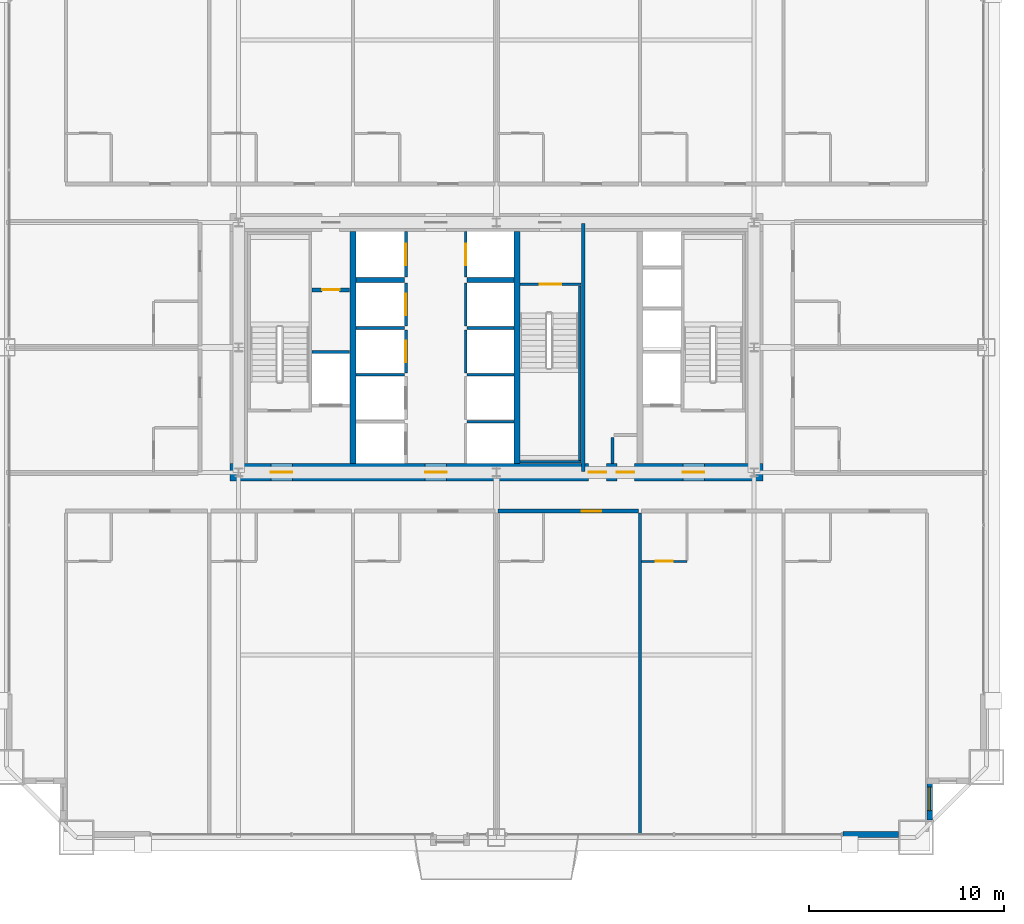
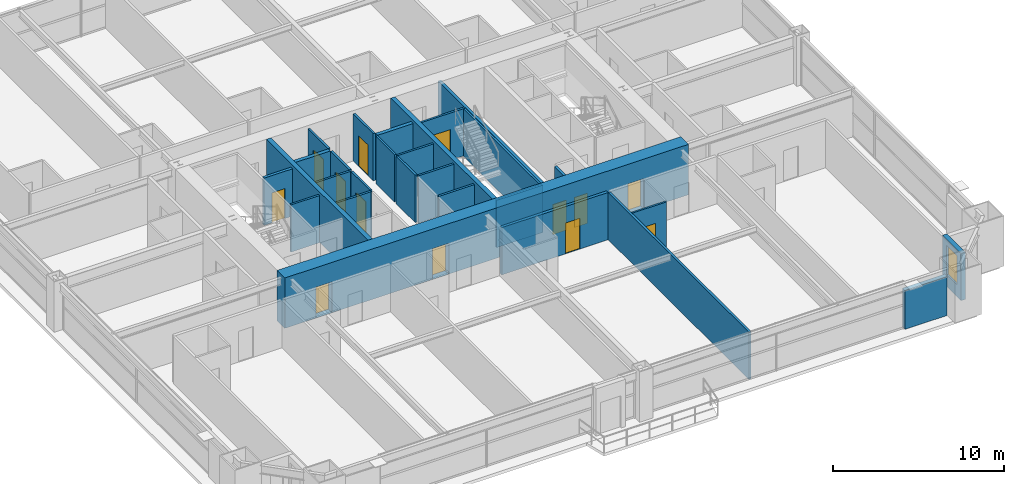
# One storey, part 41 of 45: 28 walls, 13 doors, 1 window, 14 openings.
"""IFC4 building model written with IfcOpenShell, lengths in metres."""

import ifcopenshell
import ifcopenshell.guid

model = None  # the IFC model being written
_history = None  # IfcOwnerHistory: only IFC2X3 demands one
_inside = {}  # id of a spatial element -> (the spatial element, [elements in it])
_under = {}  # id of a project, library or spatial element -> (it, [spatial elements below it])
_declared = {}  # id of a project -> (the project, [libraries it declares])
_typed = {}  # id of a type object -> (the type object, [elements of that type])
_made_of = {}  # id of a material, layer set ... -> (it, [elements and type objects made of it])


def new_model(schema):
    """Start an empty IFC model of exactly this schema.

    Asked for "IFC4X3", IfcOpenShell would pick the latest addendum, in which some entities
    have other attributes; the version numbers below select the first issue.
    IFC2X3 requires an IfcOwnerHistory on every rooted entity: one is made here for all.
    """
    global model, _history
    if schema == "IFC4X3":
        model = ifcopenshell.file(schema_version=(4, 3, 0, 0))
    else:
        model = ifcopenshell.file(schema=schema)
    _inside.clear()
    _under.clear()
    _declared.clear()
    _typed.clear()
    _made_of.clear()
    _history = None
    if model.schema == "IFC2X3":
        org = make("IfcOrganization", Name="unknown")
        user = make(
            "IfcPersonAndOrganization",
            ThePerson=make("IfcPerson", FamilyName="unknown"),
            TheOrganization=org,
        )
        app = make(
            "IfcApplication",
            ApplicationDeveloper=org,
            Version="unknown",
            ApplicationFullName="unknown",
            ApplicationIdentifier="unknown",
        )
        _history = make(
            "IfcOwnerHistory",
            OwningUser=user,
            OwningApplication=app,
            ChangeAction="ADDED",
            CreationDate=0,
        )
    return model


def make(cls, **values):
    """One entity of the class cls with the attributes given. An attribute that is None is left unset."""
    return model.create_entity(
        cls, **{name: value for name, value in values.items() if value is not None}
    )


def rooted(cls, **values):
    """An entity with a GlobalId (a new one), such as an element, a storey or a relation."""
    return make(cls, GlobalId=ifcopenshell.guid.new(), OwnerHistory=_history, **values)


def si_unit(unit_type, name, prefix=None):
    """IfcSIUnit, for example si_unit("LENGTHUNIT", "METRE", prefix="MILLI")."""
    return make("IfcSIUnit", UnitType=unit_type, Prefix=prefix, Name=name)


def assignment(units):
    """IfcUnitAssignment: the units of a project."""
    return None if units is None else make("IfcUnitAssignment", Units=units)


def point(xyz):
    """IfcCartesianPoint."""
    return None if xyz is None else make("IfcCartesianPoint", Coordinates=xyz)


def direction(xyz):
    """IfcDirection."""
    return None if xyz is None else make("IfcDirection", DirectionRatios=xyz)


def frame(location, z_axis=None, x_axis=None):
    """IfcAxis2Placement3D, a coordinate frame: its origin and axes. An axis left out is left unset."""
    return make(
        "IfcAxis2Placement3D",
        Location=point(location),
        Axis=direction(z_axis),
        RefDirection=direction(x_axis),
    )


def frame_2d(location, x_axis=None):
    """IfcAxis2Placement2D, a coordinate frame in the plane: its origin and x axis."""
    return make(
        "IfcAxis2Placement2D", Location=point(location), RefDirection=direction(x_axis)
    )


def origin():
    """The frame at (0, 0, 0) with its axes left unset."""
    return frame((0.0, 0.0, 0.0))


def place(relative_to, where):
    """IfcLocalPlacement: puts the frame where relative to a parent placement (None: the world)."""
    return make(
        "IfcLocalPlacement", PlacementRelTo=relative_to, RelativePlacement=where
    )


def context(
    kind, dimensions, precision=None, world=None, true_north=None, identifier=None
):
    """IfcGeometricRepresentationContext, for example the 3D "Model" context."""
    return make(
        "IfcGeometricRepresentationContext",
        ContextIdentifier=identifier,
        ContextType=kind,
        CoordinateSpaceDimension=dimensions,
        Precision=precision,
        WorldCoordinateSystem=world,
        TrueNorth=true_north,
    )


def subcontext(parent, identifier, kind, view, scale=None):
    """IfcGeometricRepresentationSubContext, for example "Body" below "Model"."""
    return make(
        "IfcGeometricRepresentationSubContext",
        ContextIdentifier=identifier,
        ContextType=kind,
        ParentContext=parent,
        TargetScale=scale,
        TargetView=view,
    )


def project(units=None, contexts=None):
    """IfcProject with its units and contexts."""
    return rooted(
        "IfcProject",
        Name="project",
        RepresentationContexts=contexts,
        UnitsInContext=assignment(units),
    )


def spatial(cls, under=None, at=None, **own):
    """A site, building, storey or space (cls), placed at a placement, below another one or the project."""
    s = rooted(cls, ObjectPlacement=at, **own)
    if under is not None:
        _under.setdefault(under.id(), (under, []))[1].append(s)
    return s


def profile(cls, at=None, kind="AREA", **sizes):
    """A parametric profile (cls). Its sizes go by their IFC names, for example OverallWidth=200.0."""
    return make(cls, ProfileType=kind, Position=at, **sizes)


def rectangle(**sizes):
    """IfcRectangleProfileDef."""
    return profile("IfcRectangleProfileDef", **sizes)


def extrude(swept, where, along, depth):
    """IfcExtrudedAreaSolid: the profile swept, set in the frame where, extruded along a direction by depth."""
    return make(
        "IfcExtrudedAreaSolid",
        SweptArea=swept,
        Position=where,
        ExtrudedDirection=direction(along),
        Depth=depth,
    )


def shape(context_of_items, identifier, shape_type, items):
    """IfcShapeRepresentation: the items that make up one representation, for example the "Body"."""
    return make(
        "IfcShapeRepresentation",
        ContextOfItems=context_of_items,
        RepresentationIdentifier=identifier,
        RepresentationType=shape_type,
        Items=items,
    )


def source(mapping_origin, context_of_items, identifier, shape_type, items):
    """IfcRepresentationMap: a shape defined once, which mapped items show again and again."""
    return make(
        "IfcRepresentationMap",
        MappingOrigin=mapping_origin,
        MappedRepresentation=shape(context_of_items, identifier, shape_type, items),
    )


def transform(
    local_origin,
    x_axis=None,
    y_axis=None,
    z_axis=None,
    scale=None,
    scale2=None,
    scale3=None,
    uniform=True,
):
    """IfcCartesianTransformationOperator3D, or its non-uniform kind. x_axis, y_axis, z_axis: its Axis1, 2, 3."""
    if uniform:
        return make(
            "IfcCartesianTransformationOperator3D",
            Axis1=direction(x_axis),
            Axis2=direction(y_axis),
            LocalOrigin=point(local_origin),
            Scale=scale,
            Axis3=direction(z_axis),
        )
    return make(
        "IfcCartesianTransformationOperator3DnonUniform",
        Axis1=direction(x_axis),
        Axis2=direction(y_axis),
        LocalOrigin=point(local_origin),
        Scale=scale,
        Axis3=direction(z_axis),
        Scale2=scale2,
        Scale3=scale3,
    )


def mapped(mapping_source, mapping_target):
    """IfcMappedItem: shows the shape of a source again, moved by a transform."""
    return make(
        "IfcMappedItem", MappingSource=mapping_source, MappingTarget=mapping_target
    )


def material(Name=None, Category=None):
    """IfcMaterial."""
    return make("IfcMaterial", Name=Name, Category=Category)


def layer(
    of_material, thickness, ventilated=None, Name=None, Category=None, Priority=None
):
    """IfcMaterialLayer: one layer of a wall or slab, of a material (None: an air gap)."""
    return make(
        "IfcMaterialLayer",
        Material=of_material,
        LayerThickness=thickness,
        IsVentilated=ventilated,
        Name=Name,
        Category=Category,
        Priority=Priority,
    )


def layer_set(layers, Name=None):
    """IfcMaterialLayerSet."""
    return make("IfcMaterialLayerSet", MaterialLayers=layers, LayerSetName=Name)


def made_of(thing, what):
    """Note that an element or type object is made of a material, layer set ...; save() writes the relation."""
    if what is not None:
        _made_of.setdefault(what.id(), (what, []))[1].append(thing)
    return thing


def type_object(cls, material=None, **own):
    """A type object (cls), such as IfcWallType, which elements share."""
    return made_of(rooted(cls, **own), material)


def element(
    cls,
    number,
    at=None,
    inside=None,
    cuts=None,
    type_object=None,
    material=None,
    context=None,
    identifier="Body",
    shape_type=None,
    held_by="IfcProductDefinitionShape",
    body=None,
    shapes=None,
    **own,
):
    """One element of the class cls, such as IfcWall. Its Tag is "e" and its number.

    at: its placement. inside: the storey or other place that contains it. cuts: it is an
    opening in that element (IfcRelVoidsElement). A single representation is given by context,
    identifier, shape_type and body (its items); several are given by shapes. held_by: the class
    of the entity that holds the representations. save() writes the other relations.
    """
    e = rooted(cls, Tag="e%d" % number, ObjectPlacement=at, **own)
    if body is not None:
        shapes = [shape(context, identifier, shape_type, body)]
    if shapes is not None:
        e.Representation = make(held_by, Representations=shapes)
    if inside is not None:
        _inside.setdefault(inside.id(), (inside, []))[1].append(e)
    if cuts is not None:
        rooted(
            "IfcRelVoidsElement", RelatingBuildingElement=cuts, RelatedOpeningElement=e
        )
    if type_object is not None:
        _typed.setdefault(type_object.id(), (type_object, []))[1].append(e)
    return made_of(e, material)


def fill(opening, filler):
    """IfcRelFillsElement: the door or window that sits in an opening."""
    return rooted(
        "IfcRelFillsElement",
        RelatingOpeningElement=opening,
        RelatedBuildingElement=filler,
    )


def aggregate(whole, parts):
    """IfcRelAggregates: a whole, such as a stair, and the parts it consists of."""
    return rooted("IfcRelAggregates", RelatingObject=whole, RelatedObjects=parts)


def save(model, path):
    """Write the relations noted so far, then the file.

    IfcRelAggregates (storeys below a building ...), IfcRelContainedInSpatialStructure (elements
    in a storey), IfcRelDefinesByType, IfcRelAssociatesMaterial and IfcRelDeclares: one each for
    every whole, place, type object, material and project.
    """
    for whole, parts in _under.values():
        aggregate(whole, parts)
    for where, things in _inside.values():
        rooted(
            "IfcRelContainedInSpatialStructure",
            RelatedElements=things,
            RelatingStructure=where,
        )
    for kind, things in _typed.values():
        rooted("IfcRelDefinesByType", RelatedObjects=things, RelatingType=kind)
    for what, things in _made_of.values():
        rooted("IfcRelAssociatesMaterial", RelatedObjects=things, RelatingMaterial=what)
    for by, libraries in _declared.values():
        rooted("IfcRelDeclares", RelatingContext=by, RelatedDefinitions=libraries)
    model.write(path)


model = new_model("IFC4")

# Units and contexts
model_context = context("Model", 3, precision=1e-05, world=origin(), true_north=direction((0.0, 1.0)))
body_context = subcontext(model_context, "Body", "Model", "MODEL_VIEW")
ifc_project = project(units=[si_unit("LENGTHUNIT", "METRE"), si_unit("AREAUNIT", "SQUARE_METRE"), si_unit("VOLUMEUNIT", "CUBIC_METRE"), si_unit("PLANEANGLEUNIT", "RADIAN"), si_unit("MASSUNIT", "GRAM", prefix="KILO"), si_unit("THERMODYNAMICTEMPERATUREUNIT", "KELVIN"), si_unit("POWERUNIT", "WATT")], contexts=[model_context])

# Site, building, storey
site_placement = place(None, origin())
site = spatial("IfcSite", under=ifc_project, at=site_placement, CompositionType="ELEMENT")
building_placement = place(site_placement, origin())
building = spatial("IfcBuilding", under=site, at=building_placement, Name="Yuzanri Waterfront Tower", CompositionType="ELEMENT")
storey_placement = place(building_placement, frame((0.0, 0.0, 34.199951171875)))
storey = spatial("IfcBuildingStorey", under=building, at=storey_placement, Name="L08", CompositionType="ELEMENT", Elevation=34.199951171875)

# Wall, opening, door
ifc_material_1 = material(Name="Moisture-Resistant Gypsum Stud Wall", Category="gypsum")
ifc_layer_1 = layer(ifc_material_1, 0.1201171875)
ifc_layer_set_1 = layer_set([ifc_layer_1], Name="Moisture-Resistant Gypsum Stud Wall")
wall_type_1 = type_object("IfcWallType", Name="Bathroom and Kitchen Wet Partition 120", PredefinedType="PARTITIONING", material=ifc_layer_set_1)
wall_1_placement = place(storey_placement, frame((44.43310546875, 14.840087890625, 0.0), z_axis=(0.0, 0.0, 1.0), x_axis=(1.0, 0.0, 0.0)))
wall_1 = element("IfcWall", 1, at=wall_1_placement, inside=storey, type_object=wall_type_1, Name="L08 Partition UW-L08-S5-BS", PredefinedType="PARTITIONING", context=body_context, shape_type="SweptSolid", body=[
    extrude(rectangle(XDim=2.329833984375, YDim=0.1201171875, at=frame_2d((1.1650390625, 0.0))), origin(), (0.0, 0.0, 1.0), 3.380126953125),
])
opening_1_placement = place(wall_1_placement, frame((0.739990234375, 0.0, 0.0)))
opening_1 = element("IfcOpeningElement", 2, at=opening_1_placement, cuts=wall_1, Name="Opening ID-0850", PredefinedType="OPENING", context=body_context, shape_type="SweptSolid", body=[
    extrude(rectangle(XDim=0.85009765625, YDim=2.10009765625, at=frame_2d((0.425048828125, 1.050048828125))), frame((0.0, 0.074951171875, 0.0), z_axis=(0.0, -1.0, 0.0), x_axis=(1.0, 0.0, 0.0)), (0.0, 0.0, 1.0), 0.14990234375),
])
ifc_material_2 = material(Name="Moisture-Resistant Lacquered Timber", Category="wood")
door_type_1 = type_object("IfcDoorType", Name="En-Suite Bathroom and Kitchen Swing Door 850x2100", OperationType="NOTDEFINED", PredefinedType="DOOR", material=ifc_material_2)
shared_shape_1 = source(origin(), body_context, "Body", "SweptSolid", [
    extrude(rectangle(XDim=0.85009765625, YDim=2.10009765625, at=frame_2d((0.425048828125, 1.050048828125))), frame((0.0, 0.02490234375, 0.0), z_axis=(0.0, -1.0, 0.0), x_axis=(1.0, 0.0, 0.0)), (0.0, 0.0, 1.0), 0.050048828125),
])
door_1_placement = place(opening_1_placement, origin())
door_1 = element("IfcDoor", 3, at=door_1_placement, inside=storey, type_object=door_type_1, Name="L08 Guest En-Suite Door", OperationType="SINGLE_SWING_LEFT", OverallHeight=2.10009765625, OverallWidth=0.85009765625, PredefinedType="DOOR", context=body_context, shape_type="MappedRepresentation", body=[
    mapped(shared_shape_1, transform((0.0, 0.0, 0.0), scale=1.0)),
])
fill(opening_1, door_1)

# Wall, opening, window
ifc_material_3 = material(Name="Honed Chongqing Dark Basalt Stone", Category="masonry")
ifc_layer_2 = layer(ifc_material_3, 0.300048828125)
ifc_layer_set_2 = layer_set([ifc_layer_2], Name="Honed Chongqing Dark Basalt Stone")
wall_type_2 = type_object("IfcWallType", Name="Bronze Rainscreen Insulated Spandrel Portal Wall 300", PredefinedType="SOLIDWALL", material=ifc_layer_set_2)
wall_2_placement = place(storey_placement, frame((59.199951171875, 1.60009765625, 0.0), z_axis=(0.0, 0.0, 1.0), x_axis=(0.0, 1.0, 0.0)))
wall_2 = element("IfcWall", 4, at=wall_2_placement, inside=storey, type_object=wall_type_2, Name="L08 Notched Corner Masonry Wall SE-Y", PredefinedType="SOLIDWALL", context=body_context, shape_type="SweptSolid", body=[
    extrude(rectangle(XDim=2.14990234375, YDim=0.300048828125, at=frame_2d((1.074951171875, 0.0))), origin(), (0.0, 0.0, 1.0), 3.380126953125),
])
opening_2_placement = place(wall_2_placement, frame((0.47509765625, 0.0, 0.85009765625)))
opening_2 = element("IfcOpeningElement", 5, at=opening_2_placement, cuts=wall_2, Name="Opening WN-02", PredefinedType="OPENING", context=body_context, shape_type="SweptSolid", body=[
    extrude(rectangle(XDim=1.199951171875, YDim=2.10009765625, at=frame_2d((0.60009765625, 1.050048828125))), frame((0.0, 0.1650390625, 0.0), z_axis=(0.0, -1.0, 0.0), x_axis=(1.0, 0.0, 0.0)), (0.0, 0.0, 1.0), 0.329833984375),
])
ifc_material_4 = material(Name="Double-Silver Low-E Insulated Glass", Category="glass")
window_type = type_object("IfcWindowType", Name="Anodized Bronze Notched Corner Deep-Set Slot Window 1200x2100", PartitioningType="SINGLE_PANEL", PredefinedType="WINDOW", material=ifc_material_4)
shared_shape_2 = source(origin(), body_context, "Body", "SweptSolid", [
    extrude(rectangle(XDim=1.199951171875, YDim=2.10009765625, at=frame_2d((0.60009765625, 1.050048828125))), frame((0.0, 0.030029296875, 0.0), z_axis=(0.0, -1.0, 0.0), x_axis=(1.0, 0.0, 0.0)), (0.0, 0.0, 1.0), 0.06005859375),
])
window_placement = place(opening_2_placement, origin())
window = element("IfcWindow", 6, at=window_placement, inside=storey, type_object=window_type, Name="L08 Notched Corner Window SE-Y", OverallHeight=2.10009765625, OverallWidth=1.199951171875, PartitioningType="SINGLE_PANEL", PredefinedType="WINDOW", context=body_context, shape_type="MappedRepresentation", body=[
    mapped(shared_shape_2, transform((0.0, 0.0, 0.0), scale=1.0)),
])
fill(opening_2, window)

# Wall, openings, doors
ifc_material_5 = material(Name="Concrete C60", Category="concrete")
ifc_layer_3 = layer(ifc_material_5, 0.89990234375)
ifc_layer_set_3 = layer_set([ifc_layer_3], Name="Concrete C60")
wall_type_3 = type_object("IfcWallType", Name="Concrete C60 Lower Zone Core Shear Wall 900", PredefinedType="SHEAR", material=ifc_layer_set_3)
wall_3_placement = place(storey_placement, frame((23.35009765625, 19.39990234375, 0.0), z_axis=(0.0, 0.0, 1.0), x_axis=(1.0, 0.0, 0.0)))
wall_3 = element("IfcWall", 7, at=wall_3_placement, inside=storey, type_object=wall_type_3, Name="L08 Core South Shear Wall", PredefinedType="SHEAR", context=body_context, shape_type="SweptSolid", body=[
    extrude(rectangle(XDim=27.2998046875, YDim=0.89990234375, at=frame_2d((13.64990234375, 0.0))), origin(), (0.0, 0.0, 1.0), 3.60009765625),
])
opening_3_placement = place(wall_3_placement, frame((2.10009765625, 0.0, 0.0)))
opening_3 = element("IfcOpeningElement", 8, at=opening_3_placement, cuts=wall_3, Name="Opening FD-1100", PredefinedType="OPENING", context=body_context, shape_type="SweptSolid", body=[
    extrude(rectangle(XDim=1.10009765625, YDim=2.199951171875, at=frame_2d((0.550048828125, 1.10009765625))), frame((0.0, 0.46484375, 0.0), z_axis=(0.0, -1.0, 0.0), x_axis=(1.0, 0.0, 0.0)), (0.0, 0.0, 1.0), 0.9296875),
])
opening_4_placement = place(wall_3_placement, frame((10.0, 0.0, 0.0)))
opening_4 = element("IfcOpeningElement", 9, at=opening_4_placement, cuts=wall_3, Name="Opening FD-1100", PredefinedType="OPENING", context=body_context, shape_type="SweptSolid", body=[
    extrude(rectangle(XDim=1.10009765625, YDim=2.199951171875, at=frame_2d((0.550048828125, 1.10009765625))), frame((0.0, 0.46484375, 0.0), z_axis=(0.0, -1.0, 0.0), x_axis=(1.0, 0.0, 0.0)), (0.0, 0.0, 1.0), 0.9296875),
])
opening_5_placement = place(wall_3_placement, frame((23.199951171875, 0.0, 0.0)))
opening_5 = element("IfcOpeningElement", 10, at=opening_5_placement, cuts=wall_3, Name="Opening FD-1100", PredefinedType="OPENING", context=body_context, shape_type="SweptSolid", body=[
    extrude(rectangle(XDim=1.10009765625, YDim=2.199951171875, at=frame_2d((0.550048828125, 1.10009765625))), frame((0.0, 0.46484375, 0.0), z_axis=(0.0, -1.0, 0.0), x_axis=(1.0, 0.0, 0.0)), (0.0, 0.0, 1.0), 0.9296875),
])
opening_6_placement = place(wall_3_placement, frame((19.820068359375, 0.0, 0.0)))
opening_6 = element("IfcOpeningElement", 11, at=opening_6_placement, cuts=wall_3, Name="Opening FD-0900", PredefinedType="OPENING", context=body_context, shape_type="SweptSolid", body=[
    extrude(rectangle(XDim=0.89990234375, YDim=2.14990234375, at=frame_2d((0.449951171875, 1.074951171875))), frame((0.0, 0.46484375, 0.0), z_axis=(0.0, -1.0, 0.0), x_axis=(1.0, 0.0, 0.0)), (0.0, 0.0, 1.0), 0.9296875),
])
opening_7_placement = place(wall_3_placement, frame((18.3798828125, 0.0, 0.0)))
opening_7 = element("IfcOpeningElement", 12, at=opening_7_placement, cuts=wall_3, Name="Opening FD-0900", PredefinedType="OPENING", context=body_context, shape_type="SweptSolid", body=[
    extrude(rectangle(XDim=0.89990234375, YDim=2.14990234375, at=frame_2d((0.449951171875, 1.074951171875))), frame((0.0, 0.46484375, 0.0), z_axis=(0.0, -1.0, 0.0), x_axis=(1.0, 0.0, 0.0)), (0.0, 0.0, 1.0), 0.9296875),
])
ifc_material_6 = material(Name="Painted Galvanized Fire Steel", Category="steel")
door_type_2 = type_object("IfcDoorType", Name="Smoke-Proof Stair and Lobby Fire Door 1100x2200", OperationType="NOTDEFINED", PredefinedType="DOOR", material=ifc_material_6)
shared_shape_3 = source(origin(), body_context, "Body", "SweptSolid", [
    extrude(rectangle(XDim=1.10009765625, YDim=2.199951171875, at=frame_2d((0.550048828125, 1.10009765625))), frame((0.0, 0.02490234375, 0.0), z_axis=(0.0, -1.0, 0.0), x_axis=(1.0, 0.0, 0.0)), (0.0, 0.0, 1.0), 0.050048828125),
])
door_2_placement = place(opening_3_placement, origin())
door_2 = element("IfcDoor", 13, at=door_2_placement, inside=storey, type_object=door_type_2, Name="L08 West Firefighting Lobby Door", OperationType="SINGLE_SWING_LEFT", OverallHeight=2.199951171875, OverallWidth=1.10009765625, PredefinedType="DOOR", context=body_context, shape_type="MappedRepresentation", body=[
    mapped(shared_shape_3, transform((0.0, 0.0, 0.0), scale=1.0)),
])
fill(opening_3, door_2)
door_3_placement = place(opening_4_placement, origin())
door_3 = element("IfcDoor", 14, at=door_3_placement, inside=storey, type_object=door_type_2, Name="L08 Central Lift Lobby South Door", OperationType="SINGLE_SWING_RIGHT", OverallHeight=2.199951171875, OverallWidth=1.10009765625, PredefinedType="DOOR", context=body_context, shape_type="MappedRepresentation", body=[
    mapped(shared_shape_3, transform((0.0, 0.0, 0.0), scale=1.0)),
])
fill(opening_4, door_3)
door_4_placement = place(opening_5_placement, origin())
door_4 = element("IfcDoor", 15, at=door_4_placement, inside=storey, type_object=door_type_2, Name="L08 East Firefighting Lobby Door", OperationType="SINGLE_SWING_LEFT", OverallHeight=2.199951171875, OverallWidth=1.10009765625, PredefinedType="DOOR", context=body_context, shape_type="MappedRepresentation", body=[
    mapped(shared_shape_3, transform((0.0, 0.0, 0.0), scale=1.0)),
])
fill(opening_5, door_4)
ifc_material_7 = material(Name="Painted Galvanized Fire Steel", Category="steel")
door_type_3 = type_object("IfcDoorType", Name="Riser and Service Room Fire Door 900x2150", OperationType="NOTDEFINED", PredefinedType="DOOR", material=ifc_material_7)
shared_shape_4 = source(origin(), body_context, "Body", "SweptSolid", [
    extrude(rectangle(XDim=0.89990234375, YDim=2.14990234375, at=frame_2d((0.449951171875, 1.074951171875))), frame((0.0, 0.02490234375, 0.0), z_axis=(0.0, -1.0, 0.0), x_axis=(1.0, 0.0, 0.0)), (0.0, 0.0, 1.0), 0.050048828125),
])
door_5_placement = place(opening_6_placement, origin())
door_5 = element("IfcDoor", 16, at=door_5_placement, inside=storey, type_object=door_type_3, Name="L08 East Wet Riser Door", OperationType="SINGLE_SWING_RIGHT", OverallHeight=2.14990234375, OverallWidth=0.89990234375, PredefinedType="DOOR", context=body_context, shape_type="MappedRepresentation", body=[
    mapped(shared_shape_4, transform((0.0, 0.0, 0.0), scale=1.0)),
])
fill(opening_6, door_5)
door_6_placement = place(opening_7_placement, origin())
door_6 = element("IfcDoor", 17, at=door_6_placement, inside=storey, type_object=door_type_3, Name="L08 Housekeeping Room", OperationType="SINGLE_SWING_LEFT", OverallHeight=2.14990234375, OverallWidth=0.89990234375, PredefinedType="DOOR", context=body_context, shape_type="MappedRepresentation", body=[
    mapped(shared_shape_4, transform((0.0, 0.0, 0.0), scale=1.0)),
])
fill(opening_7, door_6)

# Wall, opening, door
ifc_material_8 = material(Name="Concrete C40", Category="concrete")
ifc_layer_4 = layer(ifc_material_8, 0.139892578125)
ifc_layer_set_4 = layer_set([ifc_layer_4], Name="Concrete C40")
wall_type_4 = type_object("IfcWallType", Name="Core Stair Liner and Hoistway Shaft Wall 140", PredefinedType="SOLIDWALL", material=ifc_layer_set_4)
wall_4_placement = place(storey_placement, frame((32.3701171875, 24.5, 0.0), z_axis=(0.0, 0.0, 1.0), x_axis=(0.0, 1.0, 0.0)))
wall_4 = element("IfcWall", 18, at=wall_4_placement, inside=storey, type_object=wall_type_4, Name="L08 Lift PL-03 Front Shaft Wall", PredefinedType="SOLIDWALL", context=body_context, shape_type="SweptSolid", body=[
    extrude(rectangle(XDim=2.199951171875, YDim=0.139892578125, at=frame_2d((1.10009765625, 0.0))), origin(), (0.0, 0.0, 1.0), 3.380126953125),
])
opening_8_placement = place(wall_4_placement, frame((0.550048828125, 0.0, 0.0)))
opening_8 = element("IfcOpeningElement", 19, at=opening_8_placement, cuts=wall_4, Name="Opening LD-PL-03", PredefinedType="OPENING", context=body_context, shape_type="SweptSolid", body=[
    extrude(rectangle(XDim=1.10009765625, YDim=2.199951171875, at=frame_2d((0.550048828125, 1.10009765625))), frame((0.0, 0.0849609375, 0.0), z_axis=(0.0, -1.0, 0.0), x_axis=(1.0, 0.0, 0.0)), (0.0, 0.0, 1.0), 0.169677734375),
])
ifc_material_9 = material(Name="Brushed Bronze and Stainless Steel Cab", Category="steel")
door_type_4 = type_object("IfcDoorType", Name="Center-Parting Bronze Lift Landing Sliding Door 1100x2200", OperationType="NOTDEFINED", PredefinedType="DOOR", material=ifc_material_9)
shared_shape_5 = source(origin(), body_context, "Body", "SweptSolid", [
    extrude(rectangle(XDim=1.10009765625, YDim=2.199951171875, at=frame_2d((0.550048828125, 1.10009765625))), frame((0.0, 0.02490234375, 0.0), z_axis=(0.0, -1.0, 0.0), x_axis=(1.0, 0.0, 0.0)), (0.0, 0.0, 1.0), 0.050048828125),
])
door_7_placement = place(opening_8_placement, origin())
door_7 = element("IfcDoor", 20, at=door_7_placement, inside=storey, type_object=door_type_4, Name="L08 PL-03 Lift Landing Sliding Door", OperationType="SLIDING_TO_LEFT", OverallHeight=2.199951171875, OverallWidth=1.10009765625, PredefinedType="DOOR", context=body_context, shape_type="MappedRepresentation", body=[
    mapped(shared_shape_5, transform((0.0, 0.0, 0.0), scale=1.0)),
])
fill(opening_8, door_7)

wall_5_placement = place(storey_placement, frame((32.3701171875, 26.89990234375, 0.0), z_axis=(0.0, 0.0, 1.0), x_axis=(0.0, 1.0, 0.0)))
wall_5 = element("IfcWall", 21, at=wall_5_placement, inside=storey, type_object=wall_type_4, Name="L08 Lift PL-04 Front Shaft Wall", PredefinedType="SOLIDWALL", context=body_context, shape_type="SweptSolid", body=[
    extrude(rectangle(XDim=2.2001953125, YDim=0.139892578125, at=frame_2d((1.10009765625, 0.0))), origin(), (0.0, 0.0, 1.0), 3.380126953125),
])
opening_9_placement = place(wall_5_placement, frame((0.550048828125, 0.0, 0.0)))
opening_9 = element("IfcOpeningElement", 22, at=opening_9_placement, cuts=wall_5, Name="Opening LD-PL-04", PredefinedType="OPENING", context=body_context, shape_type="SweptSolid", body=[
    extrude(rectangle(XDim=1.10009765625, YDim=2.199951171875, at=frame_2d((0.550048828125, 1.10009765625))), frame((0.0, 0.0849609375, 0.0), z_axis=(0.0, -1.0, 0.0), x_axis=(1.0, 0.0, 0.0)), (0.0, 0.0, 1.0), 0.169677734375),
])
door_8_placement = place(opening_9_placement, origin())
door_8 = element("IfcDoor", 23, at=door_8_placement, inside=storey, type_object=door_type_4, Name="L08 PL-04 Lift Landing Sliding Door", OperationType="SLIDING_TO_RIGHT", OverallHeight=2.199951171875, OverallWidth=1.10009765625, PredefinedType="DOOR", context=body_context, shape_type="MappedRepresentation", body=[
    mapped(shared_shape_5, transform((0.0, 0.0, 0.0), scale=1.0)),
])
fill(opening_9, door_8)

wall_6_placement = place(storey_placement, frame((32.3701171875, 29.39990234375, 0.0), z_axis=(0.0, 0.0, 1.0), x_axis=(0.0, 1.0, 0.0)))
wall_6 = element("IfcWall", 24, at=wall_6_placement, inside=storey, type_object=wall_type_4, Name="L08 Lift SL-01 Front Shaft Wall", PredefinedType="SOLIDWALL", context=body_context, shape_type="SweptSolid", body=[
    extrude(rectangle(XDim=2.340087890625, YDim=0.139892578125, at=frame_2d((1.169921875, 0.0))), origin(), (0.0, 0.0, 1.0), 3.380126953125),
])
opening_10_placement = place(wall_6_placement, frame((0.6201171875, 0.0, 0.0)))
opening_10 = element("IfcOpeningElement", 25, at=opening_10_placement, cuts=wall_6, Name="Opening LD-SL-01", PredefinedType="OPENING", context=body_context, shape_type="SweptSolid", body=[
    extrude(rectangle(XDim=1.10009765625, YDim=2.199951171875, at=frame_2d((0.550048828125, 1.10009765625))), frame((0.0, 0.0849609375, 0.0), z_axis=(0.0, -1.0, 0.0), x_axis=(1.0, 0.0, 0.0)), (0.0, 0.0, 1.0), 0.169677734375),
])
door_9_placement = place(opening_10_placement, origin())
door_9 = element("IfcDoor", 26, at=door_9_placement, inside=storey, type_object=door_type_4, Name="L08 SL-01 Lift Landing Sliding Door", OperationType="SLIDING_TO_LEFT", OverallHeight=2.199951171875, OverallWidth=1.10009765625, PredefinedType="DOOR", context=body_context, shape_type="MappedRepresentation", body=[
    mapped(shared_shape_5, transform((0.0, 0.0, 0.0), scale=1.0)),
])
fill(opening_10, door_9)

wall_7_placement = place(storey_placement, frame((35.429931640625, 29.39990234375, 0.0), z_axis=(0.0, 0.0, 1.0), x_axis=(0.0, 1.0, 0.0)))
wall_7 = element("IfcWall", 27, at=wall_7_placement, inside=storey, type_object=wall_type_4, Name="L08 Lift SL-02 Front Shaft Wall", PredefinedType="SOLIDWALL", context=body_context, shape_type="SweptSolid", body=[
    extrude(rectangle(XDim=2.340087890625, YDim=0.139892578125, at=frame_2d((1.169921875, 0.0))), origin(), (0.0, 0.0, 1.0), 3.380126953125),
])
opening_11_placement = place(wall_7_placement, frame((0.6201171875, 0.0, 0.0)))
opening_11 = element("IfcOpeningElement", 28, at=opening_11_placement, cuts=wall_7, Name="Opening LD-SL-02", PredefinedType="OPENING", context=body_context, shape_type="SweptSolid", body=[
    extrude(rectangle(XDim=1.10009765625, YDim=2.199951171875, at=frame_2d((0.550048828125, 1.10009765625))), frame((0.0, 0.0849609375, 0.0), z_axis=(0.0, -1.0, 0.0), x_axis=(1.0, 0.0, 0.0)), (0.0, 0.0, 1.0), 0.169677734375),
])
door_10_placement = place(opening_11_placement, origin())
door_10 = element("IfcDoor", 29, at=door_10_placement, inside=storey, type_object=door_type_4, Name="L08 SL-02 Lift Landing Sliding Door", OperationType="SLIDING_TO_RIGHT", OverallHeight=2.199951171875, OverallWidth=1.10009765625, PredefinedType="DOOR", context=body_context, shape_type="MappedRepresentation", body=[
    mapped(shared_shape_5, transform((0.0, 0.0, 0.0), scale=1.0)),
])
fill(opening_11, door_10)

wall_8_placement = place(storey_placement, frame((38.199951171875, 29.030029296875, 0.0), z_axis=(0.0, 0.0, 1.0), x_axis=(1.0, 0.0, 0.0)))
wall_8 = element("IfcWall", 30, at=wall_8_placement, inside=storey, type_object=wall_type_4, Name="L08 Shaft Wall STW-L08-ST-03-N", PredefinedType="SOLIDWALL", context=body_context, shape_type="SweptSolid", body=[
    extrude(rectangle(XDim=3.14013671875, YDim=0.139892578125, at=frame_2d((1.570068359375, 0.0))), origin(), (0.0, 0.0, 1.0), 3.380126953125),
])
opening_12_placement = place(wall_8_placement, frame((1.02001953125, 0.0, 0.0)))
opening_12 = element("IfcOpeningElement", 31, at=opening_12_placement, cuts=wall_8, Name="Opening FD-1100", PredefinedType="OPENING", context=body_context, shape_type="SweptSolid", body=[
    extrude(rectangle(XDim=1.10009765625, YDim=2.199951171875, at=frame_2d((0.550048828125, 1.10009765625))), frame((0.0, 0.0849609375, 0.0), z_axis=(0.0, -1.0, 0.0), x_axis=(1.0, 0.0, 0.0)), (0.0, 0.0, 1.0), 0.169677734375),
])
door_11_placement = place(opening_12_placement, origin())
door_11 = element("IfcDoor", 32, at=door_11_placement, inside=storey, type_object=door_type_2, Name="L08 Stair ST-03 Fire Door", OperationType="SINGLE_SWING_RIGHT", OverallHeight=2.199951171875, OverallWidth=1.10009765625, PredefinedType="DOOR", context=body_context, shape_type="MappedRepresentation", body=[
    mapped(shared_shape_3, transform((0.0, 0.0, 0.0), scale=1.0)),
])
fill(opening_12, door_11)

ifc_material_10 = material(Name="Autoclaved Aerated Concrete Blockwork", Category="masonry")
ifc_layer_5 = layer(ifc_material_10, 0.199951171875)
ifc_layer_set_5 = layer_set([ifc_layer_5], Name="Autoclaved Aerated Concrete Blockwork")
wall_type_5 = type_object("IfcWallType", Name="Corridor and Unit Party Fire Wall 200", PredefinedType="PARTITIONING", material=ifc_layer_set_5)
wall_9_placement = place(storey_placement, frame((27.56005859375, 28.75, 0.0), z_axis=(0.0, 0.0, 1.0), x_axis=(1.0, 0.0, 0.0)))
wall_9 = element("IfcWall", 33, at=wall_9_placement, inside=storey, type_object=wall_type_5, Name="L08 Partition CRW-L08-ERTR", PredefinedType="PARTITIONING", context=body_context, shape_type="SweptSolid", body=[
    extrude(rectangle(XDim=1.919921875, YDim=0.199951171875, at=frame_2d((0.9599609375, 0.0))), origin(), (0.0, 0.0, 1.0), 3.380126953125),
])
opening_13_placement = place(wall_9_placement, frame((0.510009765625, 0.0, 0.0)))
opening_13 = element("IfcOpeningElement", 34, at=opening_13_placement, cuts=wall_9, Name="Opening FD-0900", PredefinedType="OPENING", context=body_context, shape_type="SweptSolid", body=[
    extrude(rectangle(XDim=0.89990234375, YDim=2.14990234375, at=frame_2d((0.449951171875, 1.074951171875))), frame((0.0, 0.11474609375, 0.0), z_axis=(0.0, -1.0, 0.0), x_axis=(1.0, 0.0, 0.0)), (0.0, 0.0, 1.0), 0.229736328125),
])
door_12_placement = place(opening_13_placement, origin())
door_12 = element("IfcDoor", 35, at=door_12_placement, inside=storey, type_object=door_type_3, Name="L08 Electrical Riser Door", OperationType="SINGLE_SWING_LEFT", OverallHeight=2.14990234375, OverallWidth=0.89990234375, PredefinedType="DOOR", context=body_context, shape_type="MappedRepresentation", body=[
    mapped(shared_shape_4, transform((0.0, 0.0, 0.0), scale=1.0)),
])
fill(opening_13, door_12)

wall_10_placement = place(storey_placement, frame((37.080078125, 17.419921875, 0.0), z_axis=(0.0, 0.0, 1.0), x_axis=(1.0, 0.0, 0.0)))
wall_10 = element("IfcWall", 36, at=wall_10_placement, inside=storey, type_object=wall_type_5, Name="L08 Partition UW-L08-S4-CN", PredefinedType="PARTITIONING", context=body_context, shape_type="SweptSolid", body=[
    extrude(rectangle(XDim=7.19287109375, YDim=0.199951171875, at=frame_2d((3.596435546875, 0.0))), origin(), (0.0, 0.0, 1.0), 3.380126953125),
])
opening_14_placement = place(wall_10_placement, frame((4.302001953125, 0.0, 0.0)))
opening_14 = element("IfcOpeningElement", 37, at=opening_14_placement, cuts=wall_10, Name="Opening FD-1000", PredefinedType="OPENING", context=body_context, shape_type="SweptSolid", body=[
    extrude(rectangle(XDim=1.0, YDim=2.199951171875, at=frame_2d((0.5, 1.10009765625))), frame((0.0, 0.11474609375, 0.0), z_axis=(0.0, -1.0, 0.0), x_axis=(1.0, 0.0, 0.0)), (0.0, 0.0, 1.0), 0.229736328125),
])
ifc_material_11 = material(Name="Engineered Oak Fire-Rated Timber", Category="wood")
door_type_5 = type_object("IfcDoorType", Name="Guestroom and Apartment Entrance Fire Door 1000x2200", OperationType="NOTDEFINED", PredefinedType="DOOR", material=ifc_material_11)
shared_shape_6 = source(origin(), body_context, "Body", "SweptSolid", [
    extrude(rectangle(XDim=1.0, YDim=2.199951171875, at=frame_2d((0.5, 1.10009765625))), frame((0.0, 0.02490234375, 0.0), z_axis=(0.0, -1.0, 0.0), x_axis=(1.0, 0.0, 0.0)), (0.0, 0.0, 1.0), 0.050048828125),
])
door_13_placement = place(opening_14_placement, origin())
door_13 = element("IfcDoor", 38, at=door_13_placement, inside=storey, type_object=door_type_5, Name="L08 Premier King Junior Suite Entrance Door", OperationType="SINGLE_SWING_RIGHT", OverallHeight=2.199951171875, OverallWidth=1.0, PredefinedType="DOOR", context=body_context, shape_type="MappedRepresentation", body=[
    mapped(shared_shape_6, transform((0.0, 0.0, 0.0), scale=1.0)),
])
fill(opening_14, door_13)

# Walls
ifc_material_12 = material(Name="Concrete C50", Category="concrete")
ifc_layer_6 = layer(ifc_material_12, 0.300048828125)
ifc_layer_set_6 = layer_set([ifc_layer_6], Name="Concrete C50")
wall_type_6 = type_object("IfcWallType", Name="Concrete C50 Internal Core Shaft Structural Wall 300", PredefinedType="SOLIDWALL", material=ifc_layer_set_6)
shared_shape_7 = source(origin(), body_context, "Body", "SweptSolid", [
    extrude(rectangle(XDim=11.89990234375, YDim=0.300048828125, at=frame_2d((5.949951171875, 0.0))), origin(), (0.0, 0.0, 1.0), 3.60009765625),
])
for number, where, z_axis, x_axis, name in (
    (39, (29.64990234375, 19.85009765625, 0.0), (0.0, 0.0, 1.0), (0.0, 1.0, 0.0), "L08 Core Internal Structural Web Wall 1"),
    (40, (38.050048828125, 19.85009765625, 0.0), (0.0, 0.0, 1.0), (0.0, 1.0, 0.0), "L08 Core Internal Structural Web Wall 2"),
):
    element("IfcWall", number, at=place(storey_placement, frame(where, z_axis=z_axis, x_axis=x_axis)), inside=storey, type_object=wall_type_6, Name=name, PredefinedType="SOLIDWALL", context=body_context, shape_type="MappedRepresentation", body=[
        mapped(shared_shape_7, transform((0.0, 0.0, 0.0), scale=1.0)),
    ])
shared_shape_8 = source(origin(), body_context, "Body", "SweptSolid", [
    extrude(rectangle(XDim=2.85009765625, YDim=0.300048828125, at=frame_2d((1.425048828125, 0.0))), origin(), (0.0, 0.0, 1.0), 2.775146484375),
])
wall_11_placement = place(storey_placement, frame((54.75, 0.85009765625, 0.0), z_axis=(0.0, 0.0, 1.0), x_axis=(1.0, 0.0, 0.0)))
element("IfcWall", 41, at=wall_11_placement, inside=storey, type_object=wall_type_2, Name="L08 S Right Braced Masonry Shoulder", PredefinedType="SOLIDWALL", context=body_context, shape_type="MappedRepresentation", body=[
    mapped(shared_shape_8, transform((0.0, 0.0, 0.0), scale=1.0)),
])
shared_shape_9 = source(origin(), body_context, "Body", "SweptSolid", [
    extrude(rectangle(XDim=1.919921875, YDim=0.139892578125, at=frame_2d((0.9599609375, 0.0))), origin(), (0.0, 0.0, 1.0), 3.380126953125),
])
wall_12_placement = place(storey_placement, frame((27.56005859375, 25.570068359375, 0.0), z_axis=(0.0, 0.0, 1.0), x_axis=(1.0, 0.0, 0.0)))
element("IfcWall", 42, at=wall_12_placement, inside=storey, type_object=wall_type_4, Name="L08 Lift FL-01 Back Shaft Wall", PredefinedType="SOLIDWALL", context=body_context, shape_type="MappedRepresentation", body=[
    mapped(shared_shape_9, transform((0.0, 0.0, 0.0), scale=1.0)),
])
shared_shape_10 = source(origin(), body_context, "Body", "SweptSolid", [
    extrude(rectangle(XDim=2.5, YDim=0.139892578125, at=frame_2d((1.25, 0.0))), origin(), (0.0, 0.0, 1.0), 3.380126953125),
])
for number, where, z_axis, x_axis, name in (
    (43, (29.800048828125, 24.39990234375, 0.0), (0.0, 0.0, 1.0), (1.0, 0.0, 0.0), "L08 Lift PL-02 Divider Wall"),
    (44, (29.800048828125, 26.800048828125, 0.0), (0.0, 0.0, 1.0), (1.0, 0.0, 0.0), "L08 Lift PL-03 Divider Wall"),
):
    element("IfcWall", number, at=place(storey_placement, frame(where, z_axis=z_axis, x_axis=x_axis)), inside=storey, type_object=wall_type_4, Name=name, PredefinedType="SOLIDWALL", context=body_context, shape_type="MappedRepresentation", body=[
        mapped(shared_shape_10, transform((0.0, 0.0, 0.0), scale=1.0)),
    ])
ifc_material_13 = material(Name="Concrete C40", Category="concrete")
ifc_layer_7 = layer(ifc_material_13, 0.25)
ifc_layer_set_7 = layer_set([ifc_layer_7], Name="Concrete C40")
wall_type_7 = type_object("IfcWallType", Name="Smoke-Proof Stair and Lift Shaft Wall 250", PredefinedType="SOLIDWALL", material=ifc_layer_set_7)
shared_shape_11 = source(origin(), body_context, "Body", "SweptSolid", [
    extrude(rectangle(XDim=2.5, YDim=0.25, at=frame_2d((1.25, 0.0))), origin(), (0.0, 0.0, 1.0), 3.380126953125),
])
wall_13_placement = place(storey_placement, frame((29.800048828125, 29.25, 0.0), z_axis=(0.0, 0.0, 1.0), x_axis=(1.0, 0.0, 0.0)))
element("IfcWall", 45, at=wall_13_placement, inside=storey, type_object=wall_type_7, Name="L08 Lift SL-01 South Shaft Wall", PredefinedType="SOLIDWALL", context=body_context, shape_type="MappedRepresentation", body=[
    mapped(shared_shape_11, transform((0.0, 0.0, 0.0), scale=1.0)),
])
shared_shape_12 = source(origin(), body_context, "Body", "SweptSolid", [
    extrude(rectangle(XDim=2.39990234375, YDim=0.139892578125, at=frame_2d((1.199951171875, 0.0))), origin(), (0.0, 0.0, 1.0), 3.380126953125),
])
for number, where, z_axis, x_axis, name in (
    (46, (35.5, 22.0, 0.0), (0.0, 0.0, 1.0), (1.0, 0.0, 0.0), "L08 Lift PL-05 Divider Wall"),
    (47, (35.5, 24.39990234375, 0.0), (0.0, 0.0, 1.0), (1.0, 0.0, 0.0), "L08 Lift PL-06 Divider Wall"),
    (48, (35.5, 26.800048828125, 0.0), (0.0, 0.0, 1.0), (1.0, 0.0, 0.0), "L08 Lift PL-07 Divider Wall"),
):
    element("IfcWall", number, at=place(storey_placement, frame(where, z_axis=z_axis, x_axis=x_axis)), inside=storey, type_object=wall_type_4, Name=name, PredefinedType="SOLIDWALL", context=body_context, shape_type="MappedRepresentation", body=[
        mapped(shared_shape_12, transform((0.0, 0.0, 0.0), scale=1.0)),
    ])
shared_shape_13 = source(origin(), body_context, "Body", "SweptSolid", [
    extrude(rectangle(XDim=2.199951171875, YDim=0.139892578125, at=frame_2d((1.10009765625, 0.0))), origin(), (0.0, 0.0, 1.0), 3.380126953125),
])
wall_14_placement = place(storey_placement, frame((35.429931640625, 24.5, 0.0), z_axis=(0.0, 0.0, 1.0), x_axis=(0.0, 1.0, 0.0)))
element("IfcWall", 49, at=wall_14_placement, inside=storey, type_object=wall_type_4, Name="L08 Lift PL-07 Front Shaft Wall", PredefinedType="SOLIDWALL", context=body_context, shape_type="MappedRepresentation", body=[
    mapped(shared_shape_13, transform((0.0, 0.0, 0.0), scale=1.0)),
])
shared_shape_14 = source(origin(), body_context, "Body", "SweptSolid", [
    extrude(rectangle(XDim=2.2001953125, YDim=0.139892578125, at=frame_2d((1.10009765625, 0.0))), origin(), (0.0, 0.0, 1.0), 3.380126953125),
])
wall_15_placement = place(storey_placement, frame((35.429931640625, 26.89990234375, 0.0), z_axis=(0.0, 0.0, 1.0), x_axis=(0.0, 1.0, 0.0)))
element("IfcWall", 50, at=wall_15_placement, inside=storey, type_object=wall_type_4, Name="L08 Lift PL-08 Front Shaft Wall", PredefinedType="SOLIDWALL", context=body_context, shape_type="MappedRepresentation", body=[
    mapped(shared_shape_14, transform((0.0, 0.0, 0.0), scale=1.0)),
])
shared_shape_15 = source(origin(), body_context, "Body", "SweptSolid", [
    extrude(rectangle(XDim=2.39990234375, YDim=0.25, at=frame_2d((1.199951171875, 0.0))), origin(), (0.0, 0.0, 1.0), 3.380126953125),
])
wall_16_placement = place(storey_placement, frame((35.5, 29.25, 0.0), z_axis=(0.0, 0.0, 1.0), x_axis=(1.0, 0.0, 0.0)))
element("IfcWall", 51, at=wall_16_placement, inside=storey, type_object=wall_type_7, Name="L08 Lift SL-02 South Shaft Wall", PredefinedType="SOLIDWALL", context=body_context, shape_type="MappedRepresentation", body=[
    mapped(shared_shape_15, transform((0.0, 0.0, 0.0), scale=1.0)),
])
shared_shape_16 = source(origin(), body_context, "Body", "SweptSolid", [
    extrude(rectangle(XDim=3.14013671875, YDim=0.139892578125, at=frame_2d((1.570068359375, 0.0))), origin(), (0.0, 0.0, 1.0), 3.380126953125),
])
wall_17_placement = place(storey_placement, frame((38.199951171875, 19.949951171875, 0.0), z_axis=(0.0, 0.0, 1.0), x_axis=(1.0, 0.0, 0.0)))
element("IfcWall", 52, at=wall_17_placement, inside=storey, type_object=wall_type_4, Name="L08 Stair ST-03 South Shaft Wall", PredefinedType="SOLIDWALL", context=body_context, shape_type="MappedRepresentation", body=[
    mapped(shared_shape_16, transform((0.0, 0.0, 0.0), scale=1.0)),
])
shared_shape_17 = source(origin(), body_context, "Body", "SweptSolid", [
    extrude(rectangle(XDim=8.93994140625, YDim=0.139892578125, at=frame_2d((4.469970703125, 0.0))), origin(), (0.0, 0.0, 1.0), 3.380126953125),
])
wall_18_placement = place(storey_placement, frame((41.27001953125, 20.02001953125, 0.0), z_axis=(0.0, 0.0, 1.0), x_axis=(0.0, 1.0, 0.0)))
element("IfcWall", 53, at=wall_18_placement, inside=storey, type_object=wall_type_4, Name="L08 Stair ST-03 East Shaft Wall", PredefinedType="SOLIDWALL", context=body_context, shape_type="MappedRepresentation", body=[
    mapped(shared_shape_17, transform((0.0, 0.0, 0.0), scale=1.0)),
])
ifc_material_14 = material(Name="Gypsum Fireboard Acoustic Stud Wall", Category="gypsum")
ifc_layer_8 = layer(ifc_material_14, 0.159912109375)
ifc_layer_set_8 = layer_set([ifc_layer_8], Name="Gypsum Fireboard Acoustic Stud Wall")
wall_type_8 = type_object("IfcWallType", Name="Acoustic Suite Demising Partition 160", PredefinedType="PARTITIONING", material=ifc_layer_set_8)
shared_shape_18 = source(origin(), body_context, "Body", "SweptSolid", [
    extrude(rectangle(XDim=1.33984375, YDim=0.159912109375, at=frame_2d((0.669921875, 0.0))), origin(), (0.0, 0.0, 1.0), 3.380126953125),
])
wall_19_placement = place(storey_placement, frame((42.949951171875, 19.860107421875, 0.0), z_axis=(0.0, 0.0, 1.0), x_axis=(0.0, 1.0, 0.0)))
element("IfcWall", 54, at=wall_19_placement, inside=storey, type_object=wall_type_8, Name="L08 East Wet Riser West Wall", PredefinedType="PARTITIONING", context=body_context, shape_type="MappedRepresentation", body=[
    mapped(shared_shape_18, transform((0.0, 0.0, 0.0), scale=1.0)),
])
shared_shape_19 = source(origin(), body_context, "Body", "SweptSolid", [
    extrude(rectangle(XDim=12.719970703125, YDim=0.199951171875, at=frame_2d((6.35986328125, 0.0))), origin(), (0.0, 0.0, 1.0), 3.380126953125),
])
wall_20_placement = place(storey_placement, frame((41.449951171875, 19.43994140625, 0.0), z_axis=(0.0, 0.0, 1.0), x_axis=(0.0, 1.0, 0.0)))
element("IfcWall", 55, at=wall_20_placement, inside=storey, type_object=wall_type_5, Name="L08 Core BOH West Wall 1", PredefinedType="PARTITIONING", context=body_context, shape_type="MappedRepresentation", body=[
    mapped(shared_shape_19, transform((0.0, 0.0, 0.0), scale=1.0)),
])
shared_shape_20 = source(origin(), body_context, "Body", "SweptSolid", [
    extrude(rectangle(XDim=16.469970703125, YDim=0.159912109375, at=frame_2d((8.23486328125, 0.0))), origin(), (0.0, 0.0, 1.0), 3.380126953125),
])
wall_21_placement = place(storey_placement, frame((44.35302734375, 0.85009765625, 0.0), z_axis=(0.0, 0.0, 1.0), x_axis=(0.0, 1.0, 0.0)))
element("IfcWall", 56, at=wall_21_placement, inside=storey, type_object=wall_type_8, Name="L08-S4 Party Wall", PredefinedType="PARTITIONING", context=body_context, shape_type="MappedRepresentation", body=[
    mapped(shared_shape_20, transform((0.0, 0.0, 0.0), scale=1.0)),
])

save(model, "model.ifc")
